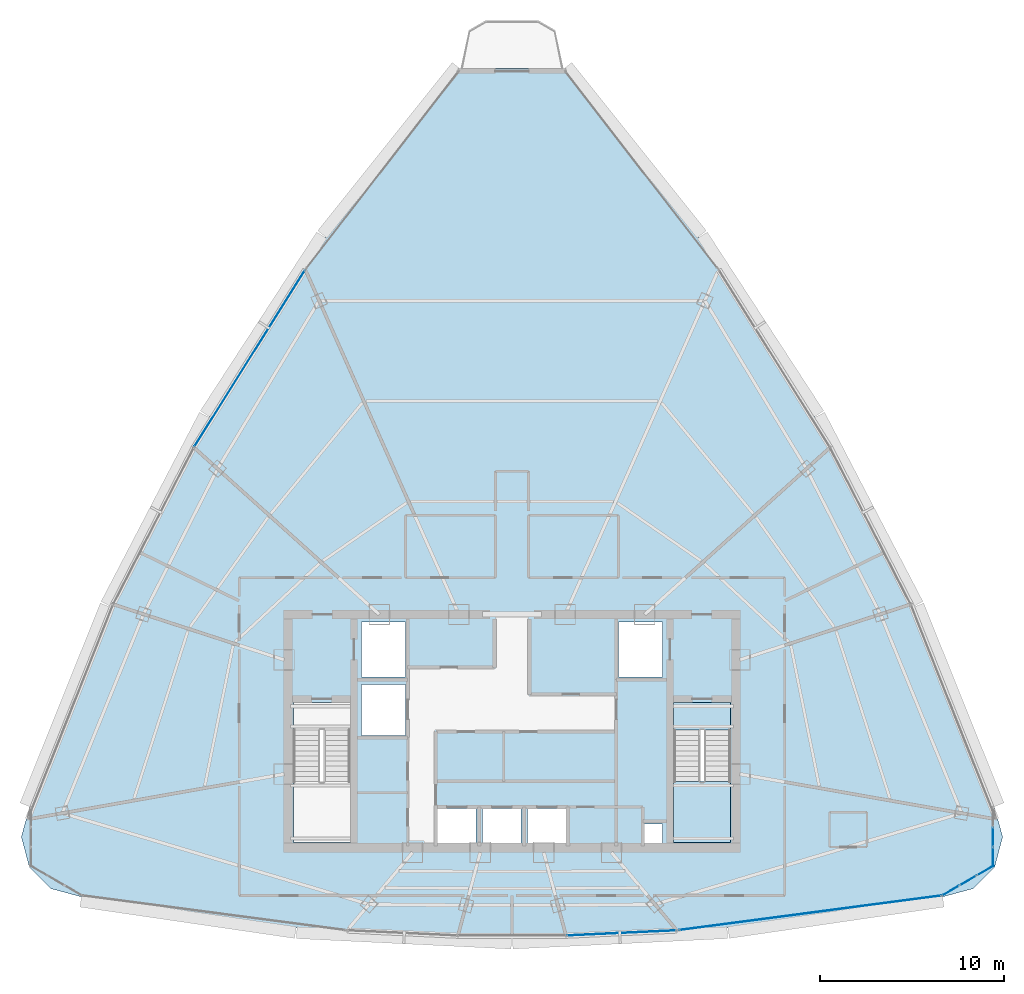
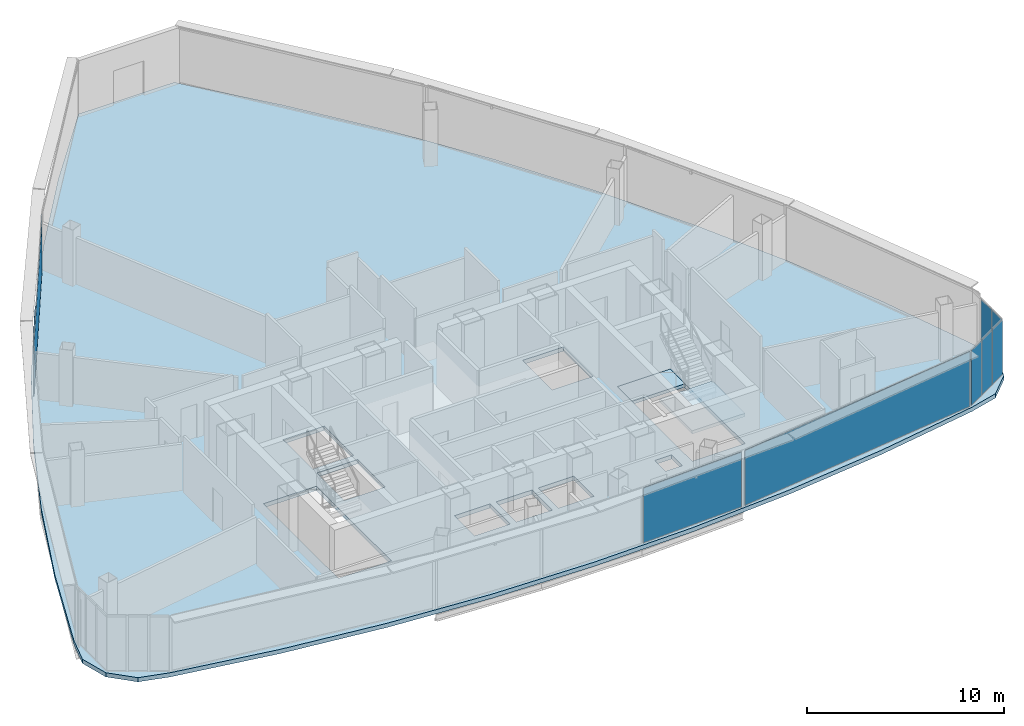
# One storey, part 22 of 29: 8 plates, 3 slabs, 6 elements without a shape of their own.
"""IFC4 building model written with IfcOpenShell, lengths in metres."""

from ifc_helpers import new_model, si_unit, direction, frame, origin, origin_2d, place, context, subcontext, project, spatial, polyline, rectangle, outline, extrude, source, transform, mapped, material, layer, layer_set, type_object, element, aggregate, save


model = new_model("IFC4")

# Units and contexts
model_context = context("Model", 3, precision=1e-05, world=origin(), true_north=direction((0.0, 1.0)))
body_context = subcontext(model_context, "Body", "Model", "MODEL_VIEW")
ifc_project = project(units=[si_unit("LENGTHUNIT", "METRE"), si_unit("AREAUNIT", "SQUARE_METRE"), si_unit("VOLUMEUNIT", "CUBIC_METRE"), si_unit("PLANEANGLEUNIT", "RADIAN"), si_unit("MASSUNIT", "GRAM", prefix="KILO"), si_unit("THERMODYNAMICTEMPERATUREUNIT", "KELVIN"), si_unit("POWERUNIT", "WATT")], contexts=[model_context])

# Site, building, storey
site_placement = place(None, origin())
site = spatial("IfcSite", under=ifc_project, at=site_placement, CompositionType="ELEMENT")
building_placement = place(site_placement, origin())
building = spatial("IfcBuilding", under=site, at=building_placement, Name="Yunzhuo Pagoda Commons", CompositionType="ELEMENT")
storey_placement = place(building_placement, frame((0.0, 0.0, 359.260009765625)))
storey = spatial("IfcBuildingStorey", under=building, at=storey_placement, Name="L90", CompositionType="ELEMENT", Elevation=359.260009765625)

# Stair, slabs
ifc_material_1 = material(Name="Concrete C40", Category="concrete")
stair_type = type_object("IfcStairType", Name="ST-C2 Core Smokeproof Stair ST2", PredefinedType="HALF_TURN_STAIR", material=ifc_material_1)
stair_placement = place(storey_placement, origin())
stair = element("IfcStair", 1, at=stair_placement, inside=storey, type_object=stair_type, Name="L90 Core smokeproof stair ST2", PredefinedType="HALF_TURN_STAIR")
ifc_layer_1 = layer(ifc_material_1, 0.201904296875)
ifc_layer_set_1 = layer_set([ifc_layer_1], Name="Concrete C40")
slab_type_1 = type_object("IfcSlabType", Name="SL-LND2 Stair Landing Slab 202", PredefinedType="LANDING", material=ifc_layer_set_1)
slab_1_placement = place(storey_placement, frame((0.0, 0.0, 1.675048828125)))
slab_1 = element("IfcSlab", 2, at=slab_1_placement, type_object=slab_type_1, Name="ST2 landing 1", PredefinedType="LANDING", context=body_context, shape_type="SweptSolid", body=[
    extrude(outline(polyline([(56.800048828125, 31.10009765625), (56.800048828125, 27.800048828125), (59.89990234375, 27.800048828125), (59.89990234375, 31.10009765625), (56.800048828125, 31.10009765625)])), origin(), (0.0, 0.0, 1.0), 0.199951171875),
])
slab_2_placement = place(storey_placement, frame((0.0, 0.0, -0.199951171875)))
slab_2 = element("IfcSlab", 3, at=slab_2_placement, type_object=slab_type_1, Name="ST2 floor landing L90", PredefinedType="LANDING", context=body_context, shape_type="SweptSolid", body=[
    extrude(outline(polyline([(56.800048828125, 35.39990234375), (56.800048828125, 33.89990234375), (59.89990234375, 33.89990234375), (59.89990234375, 35.39990234375), (56.800048828125, 35.39990234375)])), origin(), (0.0, 0.0, 1.0), 0.199951171875),
])
aggregate(stair, [slab_1, slab_2])

# Slab
ifc_layer_2 = layer(ifc_material_1, 0.260009765625)
ifc_layer_set_2 = layer_set([ifc_layer_2], Name="Concrete C40")
slab_type_2 = type_object("IfcSlabType", Name="SL-TWR Typical Tower Floor Slab 260", PredefinedType="FLOOR", material=ifc_layer_set_2)
slab_3_placement = place(storey_placement, frame((0.0, 0.0, -0.260009765625)))
element("IfcSlab", 4, at=slab_3_placement, inside=storey, type_object=slab_type_2, Name="L90 structural floor slab", PredefinedType="FLOOR", context=body_context, shape_type="SweptSolid", body=[
    extrude(outline(polyline([(23.808349609375, 35.244873046875), (26.12451171875, 40.628173828125), (28.687255859375, 45.86767578125), (31.49658203125, 50.963134765625), (34.552001953125, 55.914794921875), (37.854248046875, 60.722412109375), (41.40283203125, 65.386474609375), (45.197998046875, 69.906494140625), (50.802001953125, 69.906494140625), (54.59716796875, 65.386474609375), (58.145751953125, 60.722412109375), (61.447998046875, 55.914794921875), (64.50341796875, 50.963134765625), (67.312744140625, 45.86767578125), (69.87548828125, 40.628173828125), (72.191650390625, 35.244873046875), (74.261474609375, 29.7177734375), (74.7041015625, 28.09375), (74.273193359375, 26.466552734375), (73.085205078125, 25.2744140625), (71.45947265625, 24.837646484375), (65.594482421875, 23.8388671875), (59.729736328125, 23.125244140625), (53.864990234375, 22.697265625), (48.0, 22.554443359375), (42.135009765625, 22.697265625), (36.270263671875, 23.125244140625), (30.405517578125, 23.8388671875), (24.54052734375, 24.837646484375), (22.914794921875, 25.2744140625), (21.726806640625, 26.466552734375), (21.2958984375, 28.09375), (21.738525390625, 29.7177734375), (23.808349609375, 35.244873046875)]), holes=[polyline([(56.179931640625, 28.800048828125), (55.179931640625, 28.800048828125), (55.179931640625, 27.699951171875), (56.179931640625, 27.699951171875), (56.179931640625, 28.800048828125)]), polyline([(46.050048828125, 29.64990234375), (43.949951171875, 29.64990234375), (43.949951171875, 27.60009765625), (46.050048828125, 27.60009765625), (46.050048828125, 29.64990234375)]), polyline([(48.5, 29.64990234375), (46.39990234375, 29.64990234375), (46.39990234375, 27.60009765625), (48.5, 27.60009765625), (48.5, 29.64990234375)]), polyline([(50.949951171875, 29.64990234375), (48.85009765625, 29.64990234375), (48.85009765625, 27.60009765625), (50.949951171875, 27.60009765625), (50.949951171875, 29.64990234375)]), polyline([(39.199951171875, 27.800048828125), (39.199951171875, 35.39990234375), (36.10009765625, 35.39990234375), (36.10009765625, 27.800048828125), (39.199951171875, 27.800048828125)]), polyline([(59.89990234375, 27.800048828125), (59.89990234375, 35.39990234375), (56.800048828125, 35.39990234375), (56.800048828125, 27.800048828125), (59.89990234375, 27.800048828125)]), polyline([(42.199951171875, 36.39990234375), (39.800048828125, 36.39990234375), (39.800048828125, 33.60009765625), (42.199951171875, 33.60009765625), (42.199951171875, 36.39990234375)]), polyline([(42.199951171875, 36.800048828125), (42.199951171875, 39.800048828125), (39.800048828125, 39.800048828125), (39.800048828125, 36.800048828125), (42.199951171875, 36.800048828125)]), polyline([(56.199951171875, 36.800048828125), (56.199951171875, 39.800048828125), (53.800048828125, 39.800048828125), (53.800048828125, 36.800048828125), (56.199951171875, 36.800048828125)])]), origin(), (0.0, 0.0, 1.0), 0.260009765625),
])

# Curtain wall, plate
ifc_material_2 = material(Name="Anodized aluminium 6063-T6", Category="aluminium")
ifc_layer_3 = layer(ifc_material_2, 0.139892578125)
ifc_layer_set_3 = layer_set([ifc_layer_3], Name="Anodized aluminium 6063-T6")
curtain_wall_type_1 = type_object("IfcCurtainWallType", Name="CW-HI High-Zone Ribbon Curtain Wall", PredefinedType="NOTDEFINED", material=ifc_layer_set_3)
curtain_wall_1_placement = place(storey_placement, origin())
curtain_wall_1 = element("IfcCurtainWall", 5, at=curtain_wall_1_placement, inside=storey, type_object=curtain_wall_type_1, Name="L90 curtain wall CW-L90-F1B4", PredefinedType="NOTDEFINED")
ifc_material_3 = material(Name="Tempered low-e double glazing", Category="glass")
ifc_layer_4 = layer(ifc_material_3, 0.02587890625)
ifc_layer_set_4 = layer_set([ifc_layer_4], Name="Tempered low-e double glazing")
plate_type_1 = type_object("IfcPlateType", Name="CW-HI-P Low-E Double Glazing 26", PredefinedType="CURTAIN_PANEL", material=ifc_layer_set_4)
shared_shape_1 = source(origin(), body_context, "Body", "SweptSolid", [
    extrude(rectangle(XDim=5.919189453125, YDim=0.028076171875, at=origin_2d()), origin(), (0.0, 0.0, 1.0), 3.3798828125),
])
plate_1_placement = place(storey_placement, frame((53.95751953125, 22.8642578125, 0.054931640625), z_axis=(0.0, 0.0, 1.0), x_axis=(0.998908420017, 0.046711544825, 0.0)))
plate_1 = element("IfcPlate", 6, at=plate_1_placement, type_object=plate_type_1, Name="CW panel 1.1", PredefinedType="CURTAIN_PANEL", context=body_context, shape_type="MappedRepresentation", body=[
    mapped(shared_shape_1, transform((0.0, 0.0, 0.0), scale=1.0)),
])
aggregate(curtain_wall_1, [plate_1])

curtain_wall_2_placement = place(storey_placement, origin())
curtain_wall_2 = element("IfcCurtainWall", 7, at=curtain_wall_2_placement, inside=storey, type_object=curtain_wall_type_1, Name="L90 curtain wall CW-L90-F1B5", PredefinedType="NOTDEFINED")
shared_shape_2 = source(origin(), body_context, "Body", "SweptSolid", [
    extrude(rectangle(XDim=14.375244140625, YDim=0.028076171875, at=origin_2d()), origin(), (0.0, 0.0, 1.0), 3.3798828125),
])
plate_2_placement = place(storey_placement, frame((64.23388671875, 23.9609375, 0.054931640625), z_axis=(0.0, 0.0, 1.0), x_axis=(0.991447578534, 0.130505551679, 0.0)))
plate_2 = element("IfcPlate", 8, at=plate_2_placement, type_object=plate_type_1, Name="CW panel 1.1", PredefinedType="CURTAIN_PANEL", context=body_context, shape_type="MappedRepresentation", body=[
    mapped(shared_shape_2, transform((0.0, 0.0, 0.0), scale=1.0)),
])
aggregate(curtain_wall_2, [plate_2])

curtain_wall_3_placement = place(storey_placement, origin())
curtain_wall_3 = element("IfcCurtainWall", 9, at=curtain_wall_3_placement, inside=storey, type_object=curtain_wall_type_1, Name="L90 curtain wall CW-L90-F3B2", PredefinedType="NOTDEFINED")
shared_shape_3 = source(origin(), body_context, "Body", "SweptSolid", [
    extrude(rectangle(XDim=11.299560546875, YDim=0.028076171875, at=origin_2d()), origin(), (0.0, 0.0, 1.0), 3.3798828125),
])
plate_3_placement = place(storey_placement, frame((33.71826171875, 54.1279296875, 0.054931640625), z_axis=(0.0, 0.0, 1.0), x_axis=(-0.531157896135, -0.847272854146, 0.0)))
plate_3 = element("IfcPlate", 10, at=plate_3_placement, type_object=plate_type_1, Name="CW panel 1.1", PredefinedType="CURTAIN_PANEL", context=body_context, shape_type="MappedRepresentation", body=[
    mapped(shared_shape_3, transform((0.0, 0.0, 0.0), scale=1.0)),
])
aggregate(curtain_wall_3, [plate_3])

# Curtain wall, plates
ifc_layer_5 = layer(ifc_material_2, 0.1298828125)
ifc_layer_set_5 = layer_set([ifc_layer_5], Name="Anodized aluminium 6063-T6")
curtain_wall_type_2 = type_object("IfcCurtainWallType", Name="CW-VTX Rounded Corner Curtain Wall", PredefinedType="NOTDEFINED", material=ifc_layer_set_5)
curtain_wall_4_placement = place(storey_placement, origin())
curtain_wall_4 = element("IfcCurtainWall", 11, at=curtain_wall_4_placement, inside=storey, type_object=curtain_wall_type_2, Name="L90 curtain wall CW-L90-VTX2S1", PredefinedType="NOTDEFINED")
ifc_layer_6 = layer(ifc_material_3, 0.02587890625)
ifc_layer_set_6 = layer_set([ifc_layer_6], Name="Tempered low-e double glazing")
plate_type_2 = type_object("IfcPlateType", Name="CW-VTX-P Low-E Double Glazing 26", PredefinedType="CURTAIN_PANEL", material=ifc_layer_set_6)
shared_shape_4 = source(origin(), body_context, "Body", "SweptSolid", [
    extrude(rectangle(XDim=1.001220703125, YDim=0.028076171875, at=origin_2d()), origin(), (0.0, 0.0, 1.0), 3.3798828125),
])
plate_4_placement = place(storey_placement, frame((71.900146484375, 25.185302734375, 0.054931640625), z_axis=(0.0, 0.0, 1.0), x_axis=(0.865437516394, 0.501016871191, 0.0)))
plate_4 = element("IfcPlate", 12, at=plate_4_placement, type_object=plate_type_2, Name="CW panel 1.1", PredefinedType="CURTAIN_PANEL", context=body_context, shape_type="MappedRepresentation", body=[
    mapped(shared_shape_4, transform((0.0, 0.0, 0.0), scale=1.0)),
])
plate_5_placement = place(storey_placement, frame((73.752197265625, 26.25732421875, 0.054931640625), z_axis=(0.0, 0.0, 1.0), x_axis=(0.865437516394, 0.501016871191, 0.0)))
plate_5 = element("IfcPlate", 13, at=plate_5_placement, type_object=plate_type_2, Name="CW panel 3.1", PredefinedType="CURTAIN_PANEL", context=body_context, shape_type="MappedRepresentation", body=[
    mapped(shared_shape_4, transform((0.0, 0.0, 0.0), scale=1.0)),
])

# Curtain wall, plate
curtain_wall_5_placement = place(storey_placement, origin())
curtain_wall_5 = element("IfcCurtainWall", 14, at=curtain_wall_5_placement, inside=storey, type_object=curtain_wall_type_2, Name="L90 curtain wall CW-L90-VTX2S2", PredefinedType="NOTDEFINED")
plate_6_placement = place(storey_placement, frame((74.191162109375, 27.02197265625, 0.054931640625), z_axis=(0.0, 0.0, 1.0), x_axis=(-0.003598647958, 0.999993524845, 0.0)))
plate_6 = element("IfcPlate", 15, at=plate_6_placement, type_object=plate_type_2, Name="CW panel 1.1", PredefinedType="CURTAIN_PANEL", context=body_context, shape_type="MappedRepresentation", body=[
    mapped(shared_shape_4, transform((0.0, 0.0, 0.0), scale=1.0)),
])

# Plate
shared_shape_5 = source(origin(), body_context, "Body", "SweptSolid", [
    extrude(rectangle(XDim=1.02880859375, YDim=0.028076171875, at=origin_2d()), origin(), (0.0, 0.0, 1.0), 3.3798828125),
])
plate_7_placement = place(storey_placement, frame((72.826171875, 25.721435546875, 0.054931640625), z_axis=(0.0, 0.0, 1.0), x_axis=(0.865437516394, 0.501016871191, 0.0)))
plate_7 = element("IfcPlate", 16, at=plate_7_placement, type_object=plate_type_2, Name="CW panel 2.1", PredefinedType="CURTAIN_PANEL", context=body_context, shape_type="MappedRepresentation", body=[
    mapped(shared_shape_5, transform((0.0, 0.0, 0.0), scale=1.0)),
])

aggregate(curtain_wall_4, [plate_4, plate_7, plate_5])

plate_8_placement = place(storey_placement, frame((74.187255859375, 28.091796875, 0.054931640625), z_axis=(0.0, 0.0, 1.0), x_axis=(-0.003598647958, 0.999993524845, 0.0)))
plate_8 = element("IfcPlate", 17, at=plate_8_placement, type_object=plate_type_2, Name="CW panel 2.1", PredefinedType="CURTAIN_PANEL", context=body_context, shape_type="MappedRepresentation", body=[
    mapped(shared_shape_5, transform((0.0, 0.0, 0.0), scale=1.0)),
])

aggregate(curtain_wall_5, [plate_6, plate_8])

save(model, "model.ifc")
